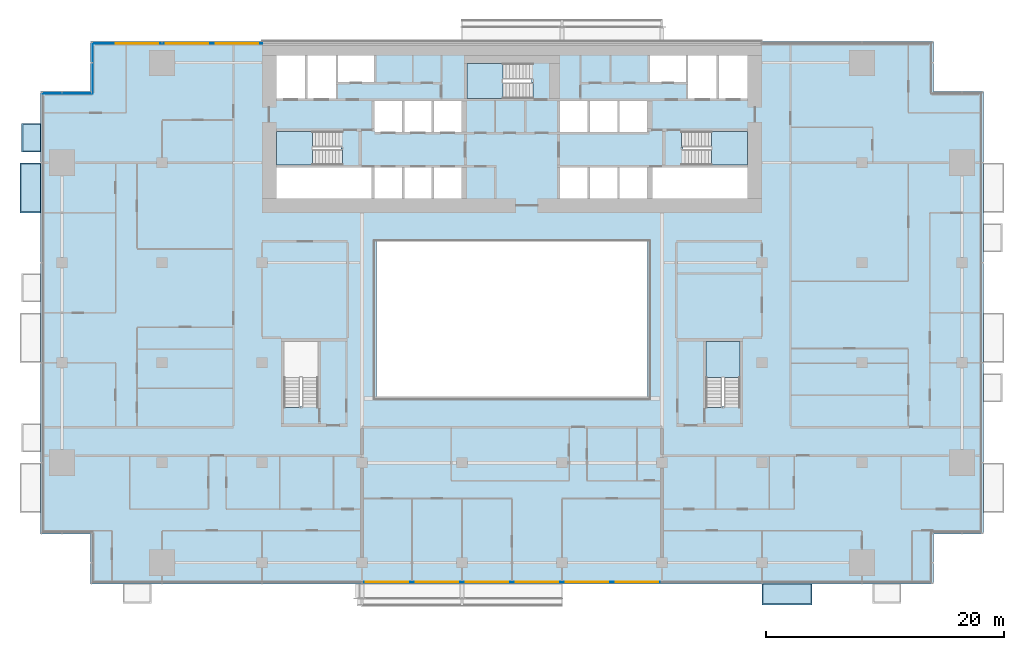
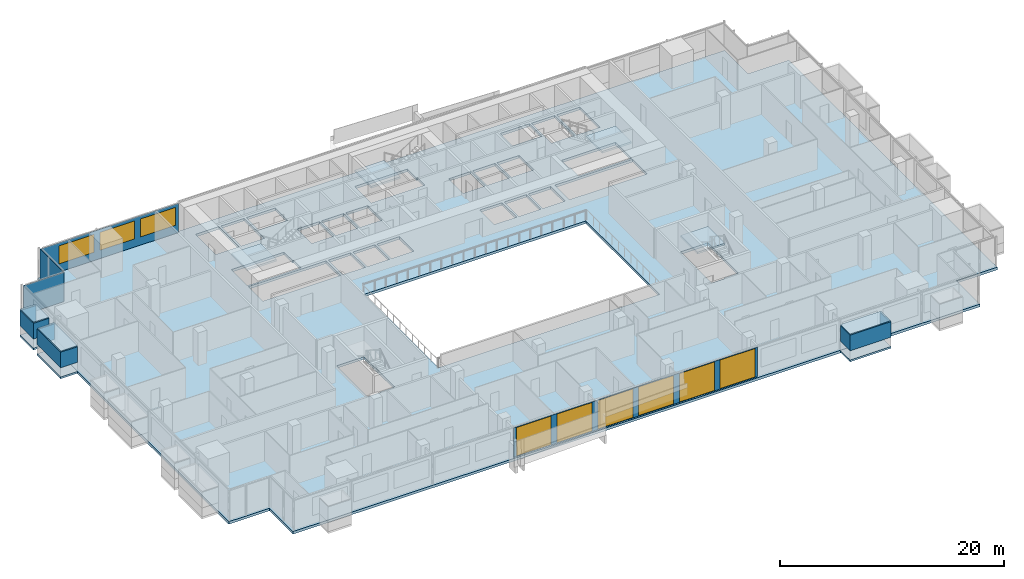
# One storey, part 15 of 27: 10 plates, 9 windows, 8 slabs, 9 openings, 8 elements without a shape of their own.
"""IFC4 building model written with IfcOpenShell, lengths in metres."""

from ifc_helpers import new_model, si_unit, direction, frame, frame_2d, origin, place, context, subcontext, project, spatial, polyline, rectangle, outline, extrude, material, layer, layer_set, type_object, element, fill, aggregate, save


model = new_model("IFC4")

# Units and contexts
model_context = context("Model", 3, precision=1e-05, world=origin(), true_north=direction((0.0, 1.0)))
body_context = subcontext(model_context, "Body", "Model", "MODEL_VIEW")
ifc_project = project(units=[si_unit("LENGTHUNIT", "METRE"), si_unit("AREAUNIT", "SQUARE_METRE"), si_unit("VOLUMEUNIT", "CUBIC_METRE"), si_unit("PLANEANGLEUNIT", "RADIAN"), si_unit("MASSUNIT", "GRAM", prefix="KILO")], contexts=[model_context])

# Site, building, storey
site_placement = place(None, origin())
site = spatial("IfcSite", under=ifc_project, at=site_placement, CompositionType="ELEMENT")
building_placement = place(site_placement, origin())
building = spatial("IfcBuilding", under=site, at=building_placement, Name="Saffron Gate Tower", CompositionType="ELEMENT")
storey_placement = place(building_placement, frame((0.0, 0.0, 40.800048828125)))
storey = spatial("IfcBuildingStorey", under=building, at=storey_placement, Name="L08", CompositionType="ELEMENT", Elevation=40.800048828125)

# Curtain wall, plate, openings, windows
ifc_material_1 = material(Name="Aluminium, bronze anodised", Category="aluminium")
curtain_wall_type_1 = type_object("IfcCurtainWallType", Name="CWS1 curtain wall front facade", PredefinedType="NOTDEFINED", material=ifc_material_1)
curtain_wall_1_placement = place(storey_placement, origin())
curtain_wall_1 = element("IfcCurtainWall", 1, at=curtain_wall_1_placement, inside=storey, type_object=curtain_wall_type_1, Name="CWS1 run 1", PredefinedType="NOTDEFINED")
ifc_material_2 = material(Name="Clear low-iron laminated glass", Category="glass")
ifc_layer_1 = layer(ifc_material_2, 0.028076171875)
ifc_layer_set_1 = layer_set([ifc_layer_1], Name="CWS1 clear glass")
plate_type_1 = type_object("IfcPlateType", Name="CWS1 clear glass", PredefinedType="CURTAIN_PANEL", material=ifc_layer_set_1)
plate_1_placement = place(storey_placement, frame((75.030029296875, 30.174072265625, 0.0), z_axis=(0.0, 0.0, 1.0), x_axis=(1.0, 0.0, 0.0)))
plate_1 = element("IfcPlate", 2, at=plate_1_placement, type_object=plate_type_1, Name="CWS1 clear glass panel", PredefinedType="CURTAIN_PANEL", context=body_context, shape_type="SweptSolid", body=[
    extrude(rectangle(XDim=25.139892578125, YDim=0.028076171875, at=frame_2d((12.56982421875, 0.0))), origin(), (0.0, 0.0, 1.0), 3.199951171875),
])
opening_1_placement = place(plate_1_placement, frame((0.27001953125, 0.0, 0.050048828125)))
opening_1 = element("IfcOpeningElement", 3, at=opening_1_placement, cuts=plate_1, Name="Opening WA", PredefinedType="OPENING", context=body_context, shape_type="SweptSolid", body=[
    extrude(rectangle(XDim=3.60009765625, YDim=3.10009765625, at=frame_2d((1.800048828125, 1.550048828125))), frame((0.0, 0.02392578125, 0.0), z_axis=(0.0, -1.0, 0.0), x_axis=(1.0, 0.0, 0.0)), (0.0, 0.0, 1.0), 0.048095703125),
])
opening_2_placement = place(plate_1_placement, frame((4.469970703125, 0.0, 0.050048828125)))
opening_2 = element("IfcOpeningElement", 4, at=opening_2_placement, cuts=plate_1, Name="Opening WA", PredefinedType="OPENING", context=body_context, shape_type="SweptSolid", body=[
    extrude(rectangle(XDim=3.60009765625, YDim=3.10009765625, at=frame_2d((1.800048828125, 1.550048828125))), frame((0.0, 0.02392578125, 0.0), z_axis=(0.0, -1.0, 0.0), x_axis=(1.0, 0.0, 0.0)), (0.0, 0.0, 1.0), 0.048095703125),
])
opening_3_placement = place(plate_1_placement, frame((8.669921875, 0.0, 0.050048828125)))
opening_3 = element("IfcOpeningElement", 5, at=opening_3_placement, cuts=plate_1, Name="Opening WA", PredefinedType="OPENING", context=body_context, shape_type="SweptSolid", body=[
    extrude(rectangle(XDim=3.60009765625, YDim=3.10009765625, at=frame_2d((1.800048828125, 1.550048828125))), frame((0.0, 0.02392578125, 0.0), z_axis=(0.0, -1.0, 0.0), x_axis=(1.0, 0.0, 0.0)), (0.0, 0.0, 1.0), 0.048095703125),
])
opening_4_placement = place(plate_1_placement, frame((12.8701171875, 0.0, 0.050048828125)))
opening_4 = element("IfcOpeningElement", 6, at=opening_4_placement, cuts=plate_1, Name="Opening WA", PredefinedType="OPENING", context=body_context, shape_type="SweptSolid", body=[
    extrude(rectangle(XDim=3.60009765625, YDim=3.10009765625, at=frame_2d((1.800048828125, 1.550048828125))), frame((0.0, 0.02392578125, 0.0), z_axis=(0.0, -1.0, 0.0), x_axis=(1.0, 0.0, 0.0)), (0.0, 0.0, 1.0), 0.048095703125),
])
opening_5_placement = place(plate_1_placement, frame((17.070068359375, 0.0, 0.050048828125)))
opening_5 = element("IfcOpeningElement", 7, at=opening_5_placement, cuts=plate_1, Name="Opening WA", PredefinedType="OPENING", context=body_context, shape_type="SweptSolid", body=[
    extrude(rectangle(XDim=3.60009765625, YDim=3.10009765625, at=frame_2d((1.800048828125, 1.550048828125))), frame((0.0, 0.02392578125, 0.0), z_axis=(0.0, -1.0, 0.0), x_axis=(1.0, 0.0, 0.0)), (0.0, 0.0, 1.0), 0.048095703125),
])
opening_6_placement = place(plate_1_placement, frame((21.27001953125, 0.0, 0.050048828125)))
opening_6 = element("IfcOpeningElement", 8, at=opening_6_placement, cuts=plate_1, Name="Opening WA", PredefinedType="OPENING", context=body_context, shape_type="SweptSolid", body=[
    extrude(rectangle(XDim=3.60009765625, YDim=3.10009765625, at=frame_2d((1.800048828125, 1.550048828125))), frame((0.0, 0.02392578125, 0.0), z_axis=(0.0, -1.0, 0.0), x_axis=(1.0, 0.0, 0.0)), (0.0, 0.0, 1.0), 0.048095703125),
])
ifc_material_3 = material(Name="Clear low-iron laminated glass in bronze frame", Category="glass")
ifc_layer_2 = layer(ifc_material_3, 0.06005859375)
ifc_layer_set_2 = layer_set([ifc_layer_2], Name="WA operable atrium unit 3600x3100")
window_type_1 = type_object("IfcWindowType", Name="WA operable atrium unit 3600x3100", PartitioningType="DOUBLE_PANEL_HORIZONTAL", PredefinedType="WINDOW", material=ifc_layer_set_2)
window_1_placement = place(opening_1_placement, origin())
window_1 = element("IfcWindow", 9, at=window_1_placement, type_object=window_type_1, Name="WA operable atrium unit", OverallHeight=3.10009765625, OverallWidth=3.60009765625, PartitioningType="SINGLE_PANEL", PredefinedType="WINDOW", context=body_context, shape_type="SweptSolid", body=[
    extrude(rectangle(XDim=3.60009765625, YDim=3.10009765625, at=frame_2d((1.800048828125, 1.550048828125))), frame((0.0, 0.013671875, 0.0), z_axis=(0.0, -1.0, 0.0), x_axis=(1.0, 0.0, 0.0)), (0.0, 0.0, 1.0), 0.027587890625),
])
fill(opening_1, window_1)
window_2_placement = place(opening_2_placement, origin())
window_2 = element("IfcWindow", 10, at=window_2_placement, type_object=window_type_1, Name="WA operable atrium unit", OverallHeight=3.10009765625, OverallWidth=3.60009765625, PartitioningType="SINGLE_PANEL", PredefinedType="WINDOW", context=body_context, shape_type="SweptSolid", body=[
    extrude(rectangle(XDim=3.60009765625, YDim=3.10009765625, at=frame_2d((1.800048828125, 1.550048828125))), frame((0.0, 0.013671875, 0.0), z_axis=(0.0, -1.0, 0.0), x_axis=(1.0, 0.0, 0.0)), (0.0, 0.0, 1.0), 0.027587890625),
])
fill(opening_2, window_2)
window_3_placement = place(opening_3_placement, origin())
window_3 = element("IfcWindow", 11, at=window_3_placement, type_object=window_type_1, Name="WA operable atrium unit", OverallHeight=3.10009765625, OverallWidth=3.60009765625, PartitioningType="SINGLE_PANEL", PredefinedType="WINDOW", context=body_context, shape_type="SweptSolid", body=[
    extrude(rectangle(XDim=3.60009765625, YDim=3.10009765625, at=frame_2d((1.800048828125, 1.550048828125))), frame((0.0, 0.013671875, 0.0), z_axis=(0.0, -1.0, 0.0), x_axis=(1.0, 0.0, 0.0)), (0.0, 0.0, 1.0), 0.027587890625),
])
fill(opening_3, window_3)
window_4_placement = place(opening_4_placement, origin())
window_4 = element("IfcWindow", 12, at=window_4_placement, type_object=window_type_1, Name="WA operable atrium unit", OverallHeight=3.10009765625, OverallWidth=3.60009765625, PartitioningType="SINGLE_PANEL", PredefinedType="WINDOW", context=body_context, shape_type="SweptSolid", body=[
    extrude(rectangle(XDim=3.60009765625, YDim=3.10009765625, at=frame_2d((1.800048828125, 1.550048828125))), frame((0.0, 0.013671875, 0.0), z_axis=(0.0, -1.0, 0.0), x_axis=(1.0, 0.0, 0.0)), (0.0, 0.0, 1.0), 0.027587890625),
])
fill(opening_4, window_4)
window_5_placement = place(opening_5_placement, origin())
window_5 = element("IfcWindow", 13, at=window_5_placement, type_object=window_type_1, Name="WA operable atrium unit", OverallHeight=3.10009765625, OverallWidth=3.60009765625, PartitioningType="SINGLE_PANEL", PredefinedType="WINDOW", context=body_context, shape_type="SweptSolid", body=[
    extrude(rectangle(XDim=3.60009765625, YDim=3.10009765625, at=frame_2d((1.800048828125, 1.550048828125))), frame((0.0, 0.013671875, 0.0), z_axis=(0.0, -1.0, 0.0), x_axis=(1.0, 0.0, 0.0)), (0.0, 0.0, 1.0), 0.027587890625),
])
fill(opening_5, window_5)
window_6_placement = place(opening_6_placement, origin())
window_6 = element("IfcWindow", 14, at=window_6_placement, type_object=window_type_1, Name="WA operable atrium unit", OverallHeight=3.10009765625, OverallWidth=3.60009765625, PartitioningType="SINGLE_PANEL", PredefinedType="WINDOW", context=body_context, shape_type="SweptSolid", body=[
    extrude(rectangle(XDim=3.60009765625, YDim=3.10009765625, at=frame_2d((1.800048828125, 1.550048828125))), frame((0.0, 0.013671875, 0.0), z_axis=(0.0, -1.0, 0.0), x_axis=(1.0, 0.0, 0.0)), (0.0, 0.0, 1.0), 0.027587890625),
])
fill(opening_6, window_6)
aggregate(curtain_wall_1, [plate_1, window_1, window_2, window_3, window_4, window_5, window_6])

curtain_wall_type_2 = type_object("IfcCurtainWallType", Name="CWS3 curtain wall rear facade", PredefinedType="NOTDEFINED", material=ifc_material_1)
curtain_wall_2_placement = place(storey_placement, origin())
curtain_wall_2 = element("IfcCurtainWall", 15, at=curtain_wall_2_placement, inside=storey, type_object=curtain_wall_type_2, Name="CWS3 run 7", PredefinedType="NOTDEFINED")
ifc_material_4 = material(Name="Fritted grey-tinted laminated glass", Category="glass")
ifc_layer_3 = layer(ifc_material_4, 0.028076171875)
ifc_layer_set_3 = layer_set([ifc_layer_3], Name="CWS3 fixed glass")
plate_type_2 = type_object("IfcPlateType", Name="CWS3 fixed glass", PredefinedType="CURTAIN_PANEL", material=ifc_layer_set_3)
plate_2_placement = place(storey_placement, frame((66.635009765625, 75.426025390625, 0.0), z_axis=(0.0, 0.0, 1.0), x_axis=(-1.0, 0.0, 0.0)))
plate_2 = element("IfcPlate", 16, at=plate_2_placement, type_object=plate_type_2, Name="CWS3 glass panel", PredefinedType="CURTAIN_PANEL", context=body_context, shape_type="SweptSolid", body=[
    extrude(rectangle(XDim=14.2470703125, YDim=0.028076171875, at=frame_2d((7.12353515625, 0.0))), origin(), (0.0, 0.0, 1.0), 3.199951171875),
])
opening_7_placement = place(plate_2_placement, frame((0.3349609375, 0.0, 0.89990234375)))
opening_7 = element("IfcOpeningElement", 17, at=opening_7_placement, cuts=plate_2, Name="Opening W1", PredefinedType="OPENING", context=body_context, shape_type="SweptSolid", body=[
    extrude(rectangle(XDim=3.60009765625, YDim=1.949951171875, at=frame_2d((1.800048828125, 0.97509765625))), frame((0.0, 0.02392578125, 0.0), z_axis=(0.0, -1.0, 0.0), x_axis=(1.0, 0.0, 0.0)), (0.0, 0.0, 1.0), 0.048095703125),
])
opening_8_placement = place(plate_2_placement, frame((4.534912109375, 0.0, 0.89990234375)))
opening_8 = element("IfcOpeningElement", 18, at=opening_8_placement, cuts=plate_2, Name="Opening W1", PredefinedType="OPENING", context=body_context, shape_type="SweptSolid", body=[
    extrude(rectangle(XDim=3.60009765625, YDim=1.949951171875, at=frame_2d((1.800048828125, 0.97509765625))), frame((0.0, 0.02392578125, 0.0), z_axis=(0.0, -1.0, 0.0), x_axis=(1.0, 0.0, 0.0)), (0.0, 0.0, 1.0), 0.048095703125),
])
opening_9_placement = place(plate_2_placement, frame((8.735107421875, 0.0, 0.89990234375)))
opening_9 = element("IfcOpeningElement", 19, at=opening_9_placement, cuts=plate_2, Name="Opening W1", PredefinedType="OPENING", context=body_context, shape_type="SweptSolid", body=[
    extrude(rectangle(XDim=3.60009765625, YDim=1.949951171875, at=frame_2d((1.800048828125, 0.97509765625))), frame((0.0, 0.02392578125, 0.0), z_axis=(0.0, -1.0, 0.0), x_axis=(1.0, 0.0, 0.0)), (0.0, 0.0, 1.0), 0.048095703125),
])
ifc_material_5 = material(Name="Fritted bronze-tinted laminated glass in bronze frame", Category="glass")
ifc_layer_4 = layer(ifc_material_5, 0.06005859375)
ifc_layer_set_4 = layer_set([ifc_layer_4], Name="W1 operable panel 3600x1950")
window_type_2 = type_object("IfcWindowType", Name="W1 operable panel 3600x1950", PartitioningType="DOUBLE_PANEL_HORIZONTAL", PredefinedType="WINDOW", material=ifc_layer_set_4)
window_7_placement = place(opening_7_placement, origin())
window_7 = element("IfcWindow", 20, at=window_7_placement, type_object=window_type_2, Name="W1 operable panel", OverallHeight=1.949951171875, OverallWidth=3.60009765625, PartitioningType="SINGLE_PANEL", PredefinedType="WINDOW", context=body_context, shape_type="SweptSolid", body=[
    extrude(rectangle(XDim=3.60009765625, YDim=1.949951171875, at=frame_2d((1.800048828125, 0.97509765625))), frame((0.0, 0.013671875, 0.0), z_axis=(0.0, -1.0, 0.0), x_axis=(1.0, 0.0, 0.0)), (0.0, 0.0, 1.0), 0.027587890625),
])
fill(opening_7, window_7)
window_8_placement = place(opening_8_placement, origin())
window_8 = element("IfcWindow", 21, at=window_8_placement, type_object=window_type_2, Name="W1 operable panel", OverallHeight=1.949951171875, OverallWidth=3.60009765625, PartitioningType="SINGLE_PANEL", PredefinedType="WINDOW", context=body_context, shape_type="SweptSolid", body=[
    extrude(rectangle(XDim=3.60009765625, YDim=1.949951171875, at=frame_2d((1.800048828125, 0.97509765625))), frame((0.0, 0.013671875, 0.0), z_axis=(0.0, -1.0, 0.0), x_axis=(1.0, 0.0, 0.0)), (0.0, 0.0, 1.0), 0.027587890625),
])
fill(opening_8, window_8)
window_9_placement = place(opening_9_placement, origin())
window_9 = element("IfcWindow", 22, at=window_9_placement, type_object=window_type_2, Name="W1 operable panel", OverallHeight=1.949951171875, OverallWidth=3.60009765625, PartitioningType="SINGLE_PANEL", PredefinedType="WINDOW", context=body_context, shape_type="SweptSolid", body=[
    extrude(rectangle(XDim=3.60009765625, YDim=1.949951171875, at=frame_2d((1.800048828125, 0.97509765625))), frame((0.0, 0.013671875, 0.0), z_axis=(0.0, -1.0, 0.0), x_axis=(1.0, 0.0, 0.0)), (0.0, 0.0, 1.0), 0.027587890625),
])
fill(opening_9, window_9)
aggregate(curtain_wall_2, [plate_2, window_7, window_8, window_9])

# Curtain wall, plate
curtain_wall_type_3 = type_object("IfcCurtainWallType", Name="CWS4 curtain wall corner returns", PredefinedType="NOTDEFINED", material=ifc_material_1)
curtain_wall_3_placement = place(storey_placement, origin())
curtain_wall_3 = element("IfcCurtainWall", 23, at=curtain_wall_3_placement, inside=storey, type_object=curtain_wall_type_3, Name="CWS4 run 8", PredefinedType="NOTDEFINED")
ifc_material_6 = material(Name="Fritted bronze-tinted laminated glass", Category="glass")
ifc_layer_5 = layer(ifc_material_6, 0.028076171875)
ifc_layer_set_5 = layer_set([ifc_layer_5], Name="CWS4 fixed glass")
plate_type_3 = type_object("IfcPlateType", Name="CWS4 fixed glass", PredefinedType="CURTAIN_PANEL", material=ifc_layer_set_5)
plate_3_placement = place(storey_placement, frame((52.3740234375, 75.412109375, 0.0), z_axis=(0.0, 0.0, 1.0), x_axis=(0.0, -1.0, 0.0)))
plate_3 = element("IfcPlate", 24, at=plate_3_placement, type_object=plate_type_3, Name="CWS4 glass panel", PredefinedType="CURTAIN_PANEL", context=body_context, shape_type="SweptSolid", body=[
    extrude(rectangle(XDim=4.172119140625, YDim=0.028076171875, at=frame_2d((2.0859375, 0.0))), origin(), (0.0, 0.0, 1.0), 3.199951171875),
])
aggregate(curtain_wall_3, [plate_3])

curtain_wall_4_placement = place(storey_placement, origin())
curtain_wall_4 = element("IfcCurtainWall", 25, at=curtain_wall_4_placement, inside=storey, type_object=curtain_wall_type_3, Name="CWS4 run 9", PredefinedType="NOTDEFINED")
plate_4_placement = place(storey_placement, frame((52.360107421875, 71.22607421875, 0.0), z_axis=(0.0, 0.0, 1.0), x_axis=(-1.0, 0.0, 0.0)))
plate_4 = element("IfcPlate", 26, at=plate_4_placement, type_object=plate_type_3, Name="CWS4 glass panel", PredefinedType="CURTAIN_PANEL", context=body_context, shape_type="SweptSolid", body=[
    extrude(rectangle(XDim=4.172119140625, YDim=0.028076171875, at=frame_2d((2.0859375, 0.0))), origin(), (0.0, 0.0, 1.0), 3.199951171875),
])
aggregate(curtain_wall_4, [plate_4])

# Slab
ifc_material_7 = material(Name="Concrete C40", Category="concrete")
ifc_layer_6 = layer(ifc_material_7, 0.280029296875)
ifc_layer_set_6 = layer_set([ifc_layer_6], Name="S2 FLOOR SLAB 280 CONCRETE C40")
slab_type_1 = type_object("IfcSlabType", Name="S2 FLOOR SLAB 280 CONCRETE C40", PredefinedType="FLOOR", material=ifc_layer_set_6)
slab_1_placement = place(storey_placement, frame((0.0, 0.0, -0.280029296875)))
element("IfcSlab", 27, at=slab_1_placement, inside=storey, type_object=slab_type_1, Name="S2 FLOOR SLAB", PredefinedType="FLOOR", context=body_context, shape_type="SweptSolid", body=[
    extrude(outline(polyline([(48.0, 34.199951171875), (52.199951171875, 34.199951171875), (52.199951171875, 30.0), (123.0, 30.0), (123.0, 34.199951171875), (127.199951171875, 34.199951171875), (127.199951171875, 71.39990234375), (123.0, 71.39990234375), (123.0, 75.60009765625), (52.199951171875, 75.60009765625), (52.199951171875, 71.39990234375), (48.0, 71.39990234375), (48.0, 34.199951171875)]), holes=[polyline([(67.800048828125, 62.39990234375), (67.800048828125, 65.0), (75.800048828125, 65.0), (75.800048828125, 62.39990234375), (67.800048828125, 62.39990234375)]), polyline([(67.800048828125, 65.199951171875), (67.800048828125, 68.050048828125), (73.25, 68.050048828125), (73.25, 66.550048828125), (73.34912109375, 66.550048828125), (73.34912109375, 65.199951171875), (67.800048828125, 65.199951171875)]), polyline([(67.800048828125, 70.800048828125), (67.800048828125, 74.39990234375), (70.199951171875, 74.39990234375), (70.199951171875, 70.800048828125), (67.800048828125, 70.800048828125)]), polyline([(68.449951171875, 44.85107421875), (68.449951171875, 50.39990234375), (71.300048828125, 50.39990234375), (71.300048828125, 44.949951171875), (69.800048828125, 44.949951171875), (69.800048828125, 44.85107421875), (68.449951171875, 44.85107421875)]), polyline([(70.39990234375, 70.800048828125), (70.39990234375, 74.39990234375), (72.800048828125, 74.39990234375), (72.800048828125, 70.800048828125), (70.39990234375, 70.800048828125)]), polyline([(73.0, 72.199951171875), (73.0, 74.39990234375), (76.0, 74.39990234375), (76.0, 72.199951171875), (73.0, 72.199951171875)]), polyline([(76.050048828125, 62.39990234375), (76.050048828125, 65.0), (78.35009765625, 65.0), (78.35009765625, 62.39990234375), (76.050048828125, 62.39990234375)]), polyline([(76.050048828125, 68.0), (76.050048828125, 70.60009765625), (78.35009765625, 70.60009765625), (78.35009765625, 68.0), (76.050048828125, 68.0)]), polyline([(76.199951171875, 45.60009765625), (76.199951171875, 58.800048828125), (99.0, 58.800048828125), (99.0, 45.60009765625), (76.199951171875, 45.60009765625)]), polyline([(78.550048828125, 62.39990234375), (78.550048828125, 65.0), (80.85009765625, 65.0), (80.85009765625, 62.39990234375), (78.550048828125, 62.39990234375)]), polyline([(78.550048828125, 68.0), (78.550048828125, 70.60009765625), (80.85009765625, 70.60009765625), (80.85009765625, 68.0), (78.550048828125, 68.0)]), polyline([(81.050048828125, 62.39990234375), (81.050048828125, 65.0), (83.35009765625, 65.0), (83.35009765625, 62.39990234375), (81.050048828125, 62.39990234375)]), polyline([(81.050048828125, 68.0), (81.050048828125, 70.60009765625), (83.35009765625, 70.60009765625), (83.35009765625, 68.0), (81.050048828125, 68.0)]), polyline([(83.800048828125, 70.800048828125), (83.800048828125, 73.75), (89.25, 73.75), (89.25, 72.14990234375), (89.34912109375, 72.14990234375), (89.34912109375, 70.800048828125), (83.800048828125, 70.800048828125)]), polyline([(91.64990234375, 62.39990234375), (91.64990234375, 65.0), (93.949951171875, 65.0), (93.949951171875, 62.39990234375), (91.64990234375, 62.39990234375)]), polyline([(91.64990234375, 68.0), (91.64990234375, 70.60009765625), (93.949951171875, 70.60009765625), (93.949951171875, 68.0), (91.64990234375, 68.0)]), polyline([(94.14990234375, 62.39990234375), (94.14990234375, 65.0), (96.449951171875, 65.0), (96.449951171875, 62.39990234375), (94.14990234375, 62.39990234375)]), polyline([(94.14990234375, 68.0), (94.14990234375, 70.60009765625), (96.449951171875, 70.60009765625), (96.449951171875, 68.0), (94.14990234375, 68.0)]), polyline([(96.64990234375, 62.39990234375), (96.64990234375, 65.0), (98.949951171875, 65.0), (98.949951171875, 62.39990234375), (96.64990234375, 62.39990234375)]), polyline([(96.64990234375, 68.0), (96.64990234375, 70.60009765625), (98.949951171875, 70.60009765625), (98.949951171875, 68.0), (96.64990234375, 68.0)]), polyline([(99.199951171875, 72.199951171875), (99.199951171875, 74.39990234375), (102.199951171875, 74.39990234375), (102.199951171875, 72.199951171875), (99.199951171875, 72.199951171875)]), polyline([(99.39990234375, 62.39990234375), (99.39990234375, 65.0), (107.39990234375, 65.0), (107.39990234375, 62.39990234375), (99.39990234375, 62.39990234375)]), polyline([(101.85107421875, 66.699951171875), (101.85107421875, 68.050048828125), (107.39990234375, 68.050048828125), (107.39990234375, 65.199951171875), (101.949951171875, 65.199951171875), (101.949951171875, 66.699951171875), (101.85107421875, 66.699951171875)]), polyline([(102.39990234375, 70.800048828125), (102.39990234375, 74.39990234375), (104.800048828125, 74.39990234375), (104.800048828125, 70.800048828125), (102.39990234375, 70.800048828125)]), polyline([(103.89990234375, 44.85107421875), (103.89990234375, 50.39990234375), (106.75, 50.39990234375), (106.75, 44.949951171875), (105.25, 44.949951171875), (105.25, 44.85107421875), (103.89990234375, 44.85107421875)]), polyline([(105.0, 70.800048828125), (105.0, 74.39990234375), (107.39990234375, 74.39990234375), (107.39990234375, 70.800048828125), (105.0, 70.800048828125)])]), origin(), (0.0, 0.0, 1.0), 0.280029296875),
])

# Stair, slab
stair_type = type_object("IfcStairType", Name="ST7 Stair 1350 wide, 20 risers of 180", PredefinedType="HALF_TURN_STAIR", material=ifc_material_7)
stair_1_placement = place(storey_placement, origin())
stair_1 = element("IfcStair", 28, at=stair_1_placement, inside=storey, type_object=stair_type, Name="L08 Exit stair A", PredefinedType="HALF_TURN_STAIR")
ifc_layer_7 = layer(ifc_material_7, 0.199951171875)
ifc_layer_set_7 = layer_set([ifc_layer_7], Name="SL1 Stair landing 200")
slab_type_2 = type_object("IfcSlabType", Name="SL1 Stair landing 200", PredefinedType="LANDING", material=ifc_layer_set_7)
slab_2_placement = place(storey_placement, frame((0.0, 0.0, 1.599853515625)))
slab_2 = element("IfcSlab", 29, at=slab_2_placement, type_object=slab_type_2, Name="ST-A landing 1", PredefinedType="LANDING", context=body_context, shape_type="SweptSolid", body=[
    extrude(outline(polyline([(70.830078125, 68.050048828125), (67.800048828125, 68.050048828125), (67.800048828125, 65.199951171875), (70.830078125, 65.199951171875), (70.830078125, 68.050048828125)])), origin(), (0.0, 0.0, 1.0), 0.2001953125),
])
aggregate(stair_1, [slab_2])

stair_2_placement = place(storey_placement, origin())
stair_2 = element("IfcStair", 30, at=stair_2_placement, inside=storey, type_object=stair_type, Name="L08 Exit stair B", PredefinedType="HALF_TURN_STAIR")
slab_3_placement = place(storey_placement, frame((0.0, 0.0, 1.599853515625)))
slab_3 = element("IfcSlab", 31, at=slab_3_placement, type_object=slab_type_2, Name="ST-B landing 1", PredefinedType="LANDING", context=body_context, shape_type="SweptSolid", body=[
    extrude(outline(polyline([(104.3701171875, 65.199951171875), (107.39990234375, 65.199951171875), (107.39990234375, 68.050048828125), (104.3701171875, 68.050048828125), (104.3701171875, 65.199951171875)])), origin(), (0.0, 0.0, 1.0), 0.2001953125),
])
aggregate(stair_2, [slab_3])

stair_3_placement = place(storey_placement, origin())
stair_3 = element("IfcStair", 32, at=stair_3_placement, inside=storey, type_object=stair_type, Name="L08 Exit stair C", PredefinedType="HALF_TURN_STAIR")
slab_4_placement = place(storey_placement, frame((0.0, 0.0, 1.599853515625)))
slab_4 = element("IfcSlab", 33, at=slab_4_placement, type_object=slab_type_2, Name="ST-C landing 1", PredefinedType="LANDING", context=body_context, shape_type="SweptSolid", body=[
    extrude(outline(polyline([(86.830078125, 73.75), (83.800048828125, 73.75), (83.800048828125, 70.800048828125), (86.830078125, 70.800048828125), (86.830078125, 73.75)])), origin(), (0.0, 0.0, 1.0), 0.2001953125),
])
aggregate(stair_3, [slab_4])

stair_4_placement = place(storey_placement, origin())
stair_4 = element("IfcStair", 34, at=stair_4_placement, inside=storey, type_object=stair_type, Name="L08 Exit stair E", PredefinedType="HALF_TURN_STAIR")
slab_5_placement = place(storey_placement, frame((0.0, 0.0, 1.599853515625)))
slab_5 = element("IfcSlab", 35, at=slab_5_placement, type_object=slab_type_2, Name="ST-E landing 1", PredefinedType="LANDING", context=body_context, shape_type="SweptSolid", body=[
    extrude(outline(polyline([(106.75, 47.3701171875), (106.75, 50.39990234375), (103.89990234375, 50.39990234375), (103.89990234375, 47.3701171875), (106.75, 47.3701171875)])), origin(), (0.0, 0.0, 1.0), 0.2001953125),
])
aggregate(stair_4, [slab_5])

# Slabs
ifc_material_8 = material(Name="Timber deck on bronze frame", Category="wood")
ifc_layer_8 = layer(ifc_material_8, 0.199951171875)
ifc_layer_set_8 = layer_set([ifc_layer_8], Name="WB1 box floor")
slab_type_3 = type_object("IfcSlabType", Name="WB1 box floor", PredefinedType="FLOOR", material=ifc_layer_set_8)
slab_6_placement = place(storey_placement, frame((0.0, 0.0, -0.199951171875)))
element("IfcSlab", 36, at=slab_6_placement, inside=storey, type_object=slab_type_3, Name="WINDOW BOX floor", PredefinedType="FLOOR", context=body_context, shape_type="SweptSolid", body=[
    extrude(outline(polyline([(108.60009765625, 30.0), (112.800048828125, 30.0), (112.800048828125, 28.26708984375), (108.60009765625, 28.26708984375), (108.60009765625, 30.0)])), origin(), (0.0, 0.0, 1.0), 0.199951171875),
])
slab_7_placement = place(storey_placement, frame((0.0, 0.0, -0.199951171875)))
element("IfcSlab", 37, at=slab_7_placement, inside=storey, type_object=slab_type_3, Name="WINDOW BOX floor", PredefinedType="FLOOR", context=body_context, shape_type="SweptSolid", body=[
    extrude(outline(polyline([(48.0, 68.699951171875), (48.0, 66.300048828125), (46.39990234375, 66.300048828125), (46.39990234375, 68.699951171875), (48.0, 68.699951171875)])), origin(), (0.0, 0.0, 1.0), 0.199951171875),
])
slab_8_placement = place(storey_placement, frame((0.0, 0.0, -0.199951171875)))
element("IfcSlab", 38, at=slab_8_placement, inside=storey, type_object=slab_type_3, Name="WINDOW BOX floor", PredefinedType="FLOOR", context=body_context, shape_type="SweptSolid", body=[
    extrude(outline(polyline([(48.0, 65.39990234375), (48.0, 61.199951171875), (46.26708984375, 61.199951171875), (46.26708984375, 65.39990234375), (48.0, 65.39990234375)])), origin(), (0.0, 0.0, 1.0), 0.199951171875),
])

# Plates
ifc_layer_9 = layer(ifc_material_1, 0.1201171875)
ifc_layer_set_9 = layer_set([ifc_layer_9], Name="WB2 box roof")
plate_type_4 = type_object("IfcPlateType", Name="WB2 box roof", PredefinedType="SHEET", material=ifc_layer_set_9)
plate_5_placement = place(storey_placement, frame((0.0, 0.0, 2.699951171875)))
element("IfcPlate", 39, at=plate_5_placement, inside=storey, type_object=plate_type_4, Name="WINDOW BOX roof", PredefinedType="SHEET", context=body_context, shape_type="SweptSolid", body=[
    extrude(outline(polyline([(108.60009765625, 30.0), (112.800048828125, 30.0), (112.800048828125, 28.26708984375), (108.60009765625, 28.26708984375), (108.60009765625, 30.0)])), origin(), (0.0, 0.0, 1.0), 0.1201171875),
])
plate_6_placement = place(storey_placement, frame((0.0, 0.0, 2.699951171875)))
element("IfcPlate", 40, at=plate_6_placement, inside=storey, type_object=plate_type_4, Name="WINDOW BOX roof", PredefinedType="SHEET", context=body_context, shape_type="SweptSolid", body=[
    extrude(outline(polyline([(48.0, 68.699951171875), (48.0, 66.300048828125), (46.39990234375, 66.300048828125), (46.39990234375, 68.699951171875), (48.0, 68.699951171875)])), origin(), (0.0, 0.0, 1.0), 0.1201171875),
])
plate_7_placement = place(storey_placement, frame((0.0, 0.0, 2.699951171875)))
element("IfcPlate", 41, at=plate_7_placement, inside=storey, type_object=plate_type_4, Name="WINDOW BOX roof", PredefinedType="SHEET", context=body_context, shape_type="SweptSolid", body=[
    extrude(outline(polyline([(48.0, 65.39990234375), (48.0, 61.199951171875), (46.26708984375, 61.199951171875), (46.26708984375, 65.39990234375), (48.0, 65.39990234375)])), origin(), (0.0, 0.0, 1.0), 0.1201171875),
])
ifc_layer_10 = layer(ifc_material_2, 0.10009765625)
ifc_layer_set_10 = layer_set([ifc_layer_10], Name="WB6 box glazing")
plate_type_5 = type_object("IfcPlateType", Name="WB6 box glazing", PredefinedType="SHEET", material=ifc_layer_set_10)
plate_8_placement = place(storey_placement, frame((0.0, 0.0, 1.0)))
element("IfcPlate", 42, at=plate_8_placement, inside=storey, type_object=plate_type_5, Name="WINDOW BOX glazing", PredefinedType="SHEET", context=body_context, shape_type="SweptSolid", body=[
    extrude(outline(polyline([(108.60009765625, 30.0), (108.699951171875, 30.0), (108.699951171875, 28.366943359375), (112.699951171875, 28.366943359375), (112.699951171875, 30.0), (112.800048828125, 30.0), (112.800048828125, 28.26708984375), (108.60009765625, 28.26708984375), (108.60009765625, 30.0)])), origin(), (0.0, 0.0, 1.0), 1.699951171875),
])
plate_9_placement = place(storey_placement, frame((0.0, 0.0, 1.0)))
element("IfcPlate", 43, at=plate_9_placement, inside=storey, type_object=plate_type_5, Name="WINDOW BOX glazing", PredefinedType="SHEET", context=body_context, shape_type="SweptSolid", body=[
    extrude(outline(polyline([(48.0, 68.699951171875), (48.0, 68.60009765625), (46.5, 68.60009765625), (46.5, 66.39990234375), (48.0, 66.39990234375), (48.0, 66.300048828125), (46.39990234375, 66.300048828125), (46.39990234375, 68.699951171875), (48.0, 68.699951171875)])), origin(), (0.0, 0.0, 1.0), 1.699951171875),
])
plate_10_placement = place(storey_placement, frame((0.0, 0.0, 1.0)))
element("IfcPlate", 44, at=plate_10_placement, inside=storey, type_object=plate_type_5, Name="WINDOW BOX glazing", PredefinedType="SHEET", context=body_context, shape_type="SweptSolid", body=[
    extrude(outline(polyline([(48.0, 65.39990234375), (48.0, 65.300048828125), (46.366943359375, 65.300048828125), (46.366943359375, 61.300048828125), (48.0, 61.300048828125), (48.0, 61.199951171875), (46.26708984375, 61.199951171875), (46.26708984375, 65.39990234375), (48.0, 65.39990234375)])), origin(), (0.0, 0.0, 1.0), 1.699951171875),
])

save(model, "model.ifc")
